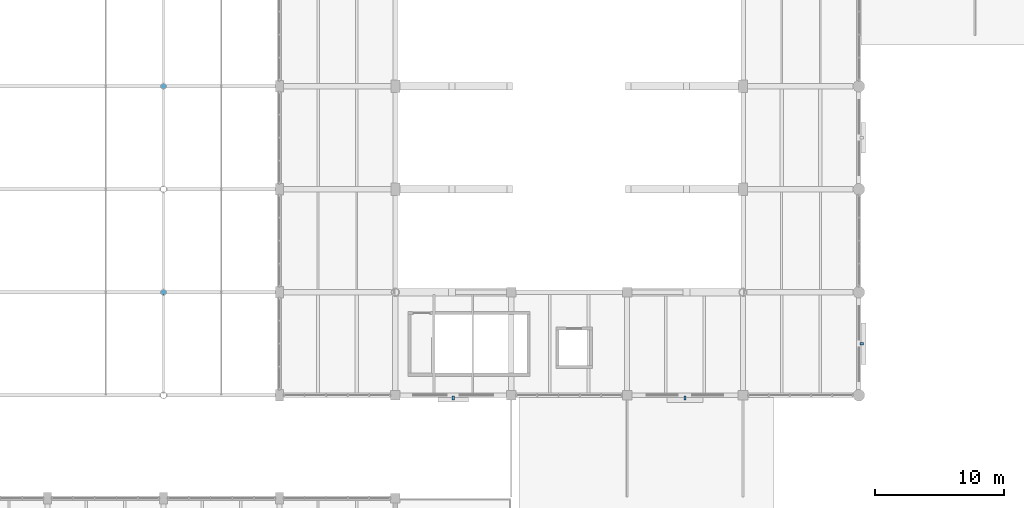
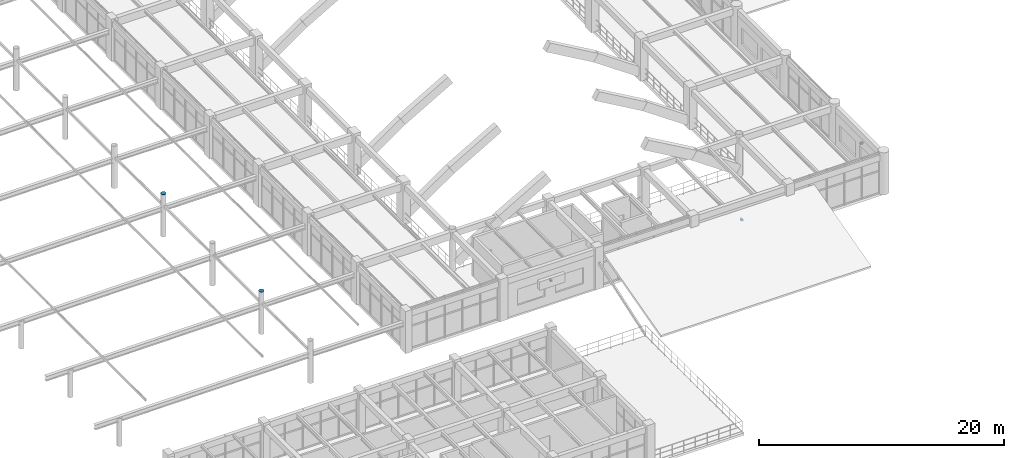
# One storey, part 132 of 148: 5 discrete accessories.
"""IFC4 building model written with IfcOpenShell, lengths in metres."""

from ifc_helpers import new_model, si_unit, derived_unit, direction, frame, origin, origin_2d, place, context, subcontext, project, spatial, rectangle, circle, extrude, material, type_object, element, save


model = new_model("IFC4")

# Units and contexts
model_context = context("Model", 3, precision=1e-05, world=origin(), true_north=direction((0.0, 1.0)))
body_context = subcontext(model_context, "Body", "Model", "MODEL_VIEW")
ifc_project = project(units=[si_unit("LENGTHUNIT", "METRE"), si_unit("AREAUNIT", "SQUARE_METRE"), si_unit("VOLUMEUNIT", "CUBIC_METRE"), si_unit("PLANEANGLEUNIT", "RADIAN"), si_unit("MASSUNIT", "GRAM", prefix="KILO"), derived_unit("THERMALTRANSMITTANCEUNIT", [(si_unit("MASSUNIT", "GRAM", prefix="KILO"), 1), (si_unit("TIMEUNIT", "SECOND"), -3), (si_unit("THERMODYNAMICTEMPERATUREUNIT", "KELVIN"), -1)])], contexts=[model_context])

# Site, building, storey
site_placement = place(None, origin())
site = spatial("IfcSite", under=ifc_project, at=site_placement, CompositionType="ELEMENT")
building_placement = place(site_placement, origin())
building = spatial("IfcBuilding", under=site, at=building_placement, Name="Zhenchuan Archway Interchange", CompositionType="ELEMENT")
storey_placement = place(building_placement, frame((0.0, 0.0, 10.199951171875)))
storey = spatial("IfcBuildingStorey", under=building, at=storey_placement, Name="L02", CompositionType="ELEMENT", Elevation=10.199951171875)

# Discrete accessories
ifc_material_1 = material(Name="Stainless Steel 316", Category="steel")
discrete_accessory_type_1 = type_object("IfcDiscreteAccessoryType", Name="BRK_SHD_2", PredefinedType="BRACKET", material=ifc_material_1)
for number, where, z_axis, x_axis, name in (
    (1, (72.2099609375, 28.0, 2.26025390625), (0.0, 0.0, 1.0), (0.0, -1.0, 0.0), "Storm-louvre stainless fixing bracket L02-074"),
    (2, (58.5, 23.7900390625, 2.01025390625), (0.0, 0.0, 1.0), (-1.0, 0.0, 0.0), "Storm-louvre stainless fixing bracket L02-075"),
    (3, (40.5, 23.7900390625, 2.26025390625), (0.0, 0.0, 1.0), (-1.0, 0.0, 0.0), "Storm-louvre stainless fixing bracket L02-076"),
):
    element("IfcDiscreteAccessory", number, at=place(storey_placement, frame(where, z_axis=z_axis, x_axis=x_axis)), inside=storey, type_object=discrete_accessory_type_1, Name=name, PredefinedType="BRACKET", context=body_context, shape_type="SweptSolid", body=[
        extrude(rectangle(XDim=0.179931640625, YDim=0.280029296875, at=origin_2d()), origin(), (0.0, 0.0, 1.0), 0.179931640625),
    ])
ifc_material_2 = material(Name="Steel Q390", Category="steel")
discrete_accessory_type_2 = type_object("IfcDiscreteAccessoryType", Name="CAP_COL_STL_CHS457", PredefinedType="USERDEFINED", material=ifc_material_2)
for number, where, z_axis, x_axis, name in (
    (4, (18.0, 32.0, 4.199951171875), (0.0, 0.0, 1.0), (1.0, 0.0, 0.0), "End plate at the end of Column 3/E (L02)"),
    (5, (18.0, 48.0, 4.199951171875), (0.0, 0.0, 1.0), (1.0, 0.0, 0.0), "End plate at the end of Column 3/G (L02)"),
):
    element("IfcDiscreteAccessory", number, at=place(storey_placement, frame(where, z_axis=z_axis, x_axis=x_axis)), inside=storey, type_object=discrete_accessory_type_2, Name=name, ObjectType="END PLATE", PredefinedType="USERDEFINED", context=body_context, shape_type="SweptSolid", body=[
        extrude(circle(Radius=0.228515625, at=origin_2d()), origin(), (0.0, 0.0, 1.0), 0.025146484375),
    ])

save(model, "model.ifc")
